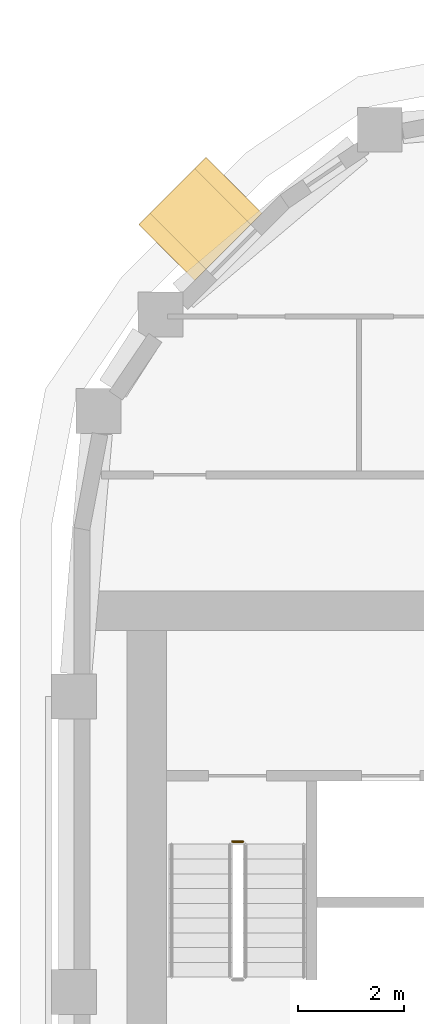
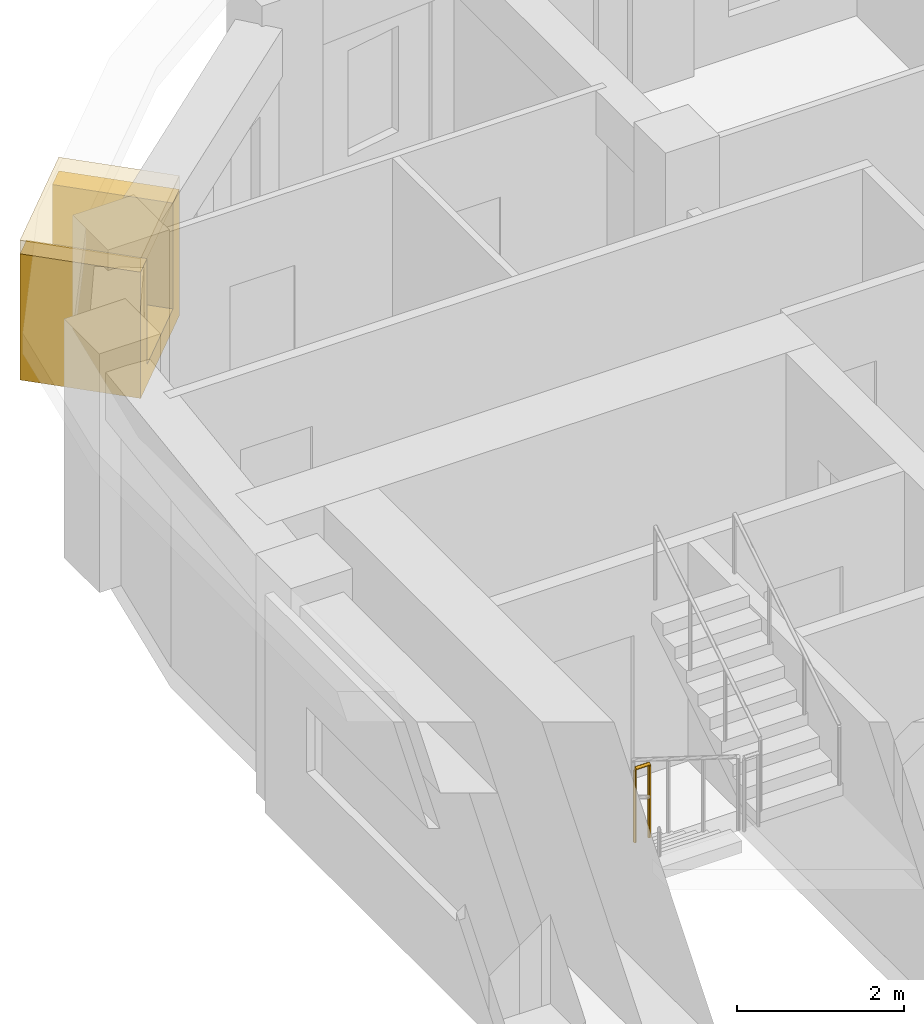
# One storey, part 19 of 21: 2 coverings, 1 railing.
"""IFC4 building model written with IfcOpenShell, lengths in metres."""

from ifc_helpers import new_model, si_unit, direction, frame, origin, origin_2d, place, context, subcontext, project, spatial, polyline, rectangle, circle, outline, extrude, material, layer, layer_set, type_object, element, save


model = new_model("IFC4")

# Units and contexts
model_context = context("Model", 3, precision=1e-05, world=origin(), true_north=direction((0.0, 1.0)))
body_context = subcontext(model_context, "Body", "Model", "MODEL_VIEW")
ifc_project = project(units=[si_unit("LENGTHUNIT", "METRE"), si_unit("AREAUNIT", "SQUARE_METRE"), si_unit("VOLUMEUNIT", "CUBIC_METRE"), si_unit("PLANEANGLEUNIT", "RADIAN"), si_unit("MASSUNIT", "GRAM", prefix="KILO")], contexts=[model_context])

# Site, building, storey
site_placement = place(None, origin())
site = spatial("IfcSite", under=ifc_project, at=site_placement, CompositionType="ELEMENT")
building_placement = place(site_placement, origin())
building = spatial("IfcBuilding", under=site, at=building_placement, Name="Kiln Ring Residences", CompositionType="ELEMENT")
storey_placement = place(building_placement, frame((0.0, 0.0, 216.89990234375)))
storey = spatial("IfcBuildingStorey", under=building, at=storey_placement, Name="L56", CompositionType="ELEMENT", Elevation=216.89990234375)

# Railing
ifc_material_1 = material(Name="Stainless steel", Category="steel")
railing_type = type_object("IfcRailingType", Name="CORE-STAIR-GUARD", PredefinedType="GUARDRAIL", material=ifc_material_1)
railing_placement = place(storey_placement, frame((-22.199951171875, 8.449951171875, 0.0)))
element("IfcRailing", 1, at=railing_placement, inside=storey, type_object=railing_type, Name="L56 W-STN stair guard 4", PredefinedType="GUARDRAIL", context=body_context, shape_type="SweptSolid", body=[
    extrude(circle(Radius=0.02392578125, at=origin_2d()), frame((0.0, 0.0, 1.076171875), z_axis=(1.0, 0.0, 0.0), x_axis=(0.0, 1.0, 0.0)), (0.0, 0.0, 1.0), 0.199951171875),
    extrude(circle(Radius=0.02099609375, at=origin_2d()), origin(), (0.0, 0.0, 1.0), 1.052001953125),
    extrude(circle(Radius=0.02099609375, at=origin_2d()), frame((0.199951171875, 0.0, 0.0)), (0.0, 0.0, 1.0), 1.052001953125),
])

# Coverings
ifc_material_2 = material(Name="Brick masonry, dark clay brick", Category="masonry")
ifc_layer_1 = layer(ifc_material_2, 0.300048828125)
ifc_layer_set_1 = layer_set([ifc_layer_1], Name="FRAME CHEEKS AND SILL 1500")
covering_type_1 = type_object("IfcCoveringType", Name="FRAME CHEEKS AND SILL 1500", PredefinedType="CLADDING", material=ifc_layer_set_1)
covering_1_placement = place(storey_placement, frame((-22.172119140625, 20.888671875, 0.300048828125), z_axis=(0.0, 0.0, 1.0), x_axis=(-0.707038962956, -0.707174592913, 0.0)))
element("IfcCovering", 2, at=covering_1_placement, inside=storey, type_object=covering_type_1, Name="FRAME L56", PredefinedType="CLADDING", context=body_context, shape_type="SweptSolid", body=[
    extrude(outline(polyline([(0.0, 0.0), (1.800048828125, 0.0), (1.800048828125, 1.85009765625), (1.5009765625, 1.85009765625), (1.5, 0.300048828125), (0.300048828125, 0.300048828125), (0.299072265625, 1.85009765625), (0.0, 1.85009765625), (0.0, 0.0)])), frame((0.0, 0.75, 0.0), z_axis=(0.0, -1.0, 0.0), x_axis=(1.0, 0.0, 0.0)), (0.0, 0.0, 1.0), 1.5),
])
ifc_material_3 = material(Name="Brick masonry, dark clay brick", Category="masonry")
ifc_layer_2 = layer(ifc_material_3, 0.199951171875)
ifc_layer_set_2 = layer_set([ifc_layer_2], Name="FRAME HEAD 1500")
covering_type_2 = type_object("IfcCoveringType", Name="FRAME HEAD 1500", PredefinedType="CLADDING", material=ifc_layer_set_2)
covering_2_placement = place(storey_placement, frame((-22.80859375, 20.252197265625, 2.14990234375), z_axis=(0.0, 0.0, 1.0), x_axis=(-0.707106781187, -0.707106781187, 0.0)))
element("IfcCovering", 3, at=covering_2_placement, inside=storey, type_object=covering_type_2, Name="FRAME HEAD L56", PredefinedType="CLADDING", context=body_context, shape_type="SweptSolid", body=[
    extrude(rectangle(XDim=1.800048828125, YDim=1.5, at=origin_2d()), origin(), (0.0, 0.0, 1.0), 0.199951171875),
])

save(model, "model.ifc")
